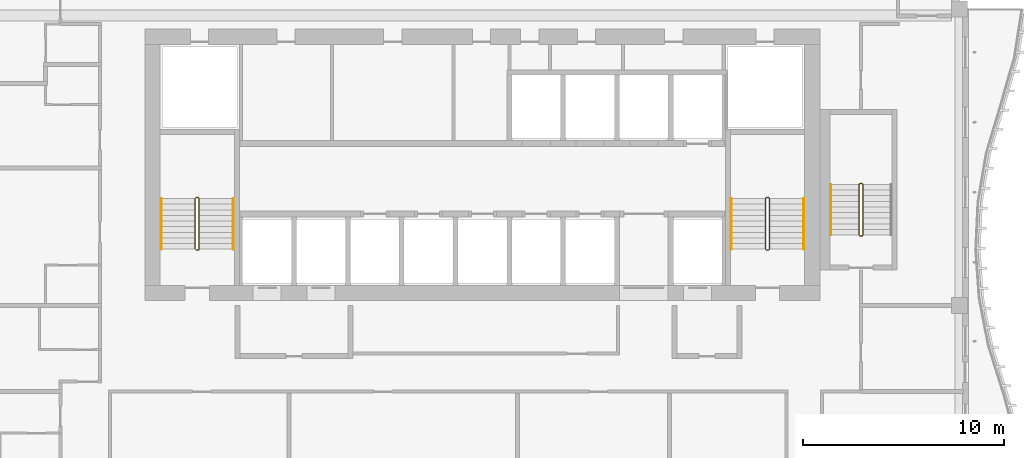
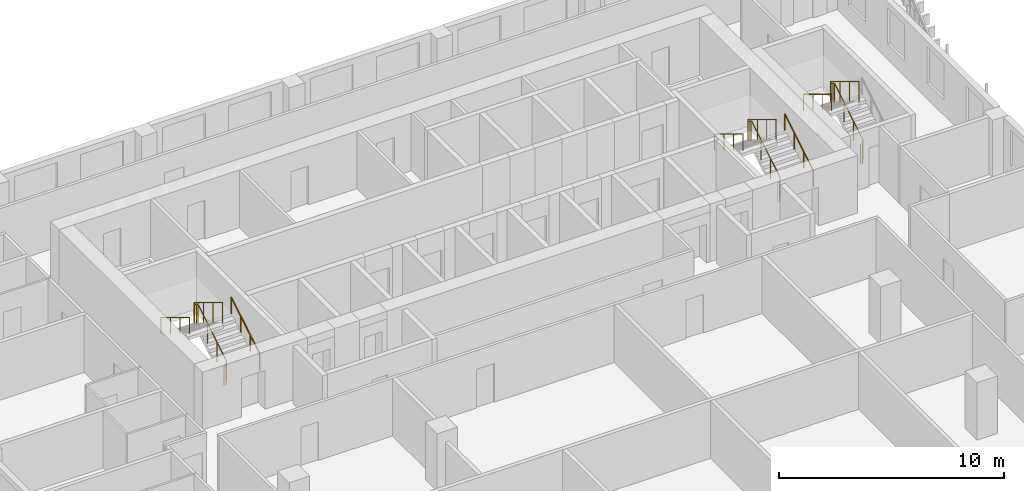
# One storey, part 20 of 21: 8 railings.
"""IFC4 building model written with IfcOpenShell, lengths in metres."""

import ifcopenshell
import ifcopenshell.guid

model = None  # the IFC model being written
_history = None  # IfcOwnerHistory: only IFC2X3 demands one
_inside = {}  # id of a spatial element -> (the spatial element, [elements in it])
_under = {}  # id of a project, library or spatial element -> (it, [spatial elements below it])
_declared = {}  # id of a project -> (the project, [libraries it declares])
_typed = {}  # id of a type object -> (the type object, [elements of that type])
_made_of = {}  # id of a material, layer set ... -> (it, [elements and type objects made of it])


def new_model(schema):
    """Start an empty IFC model of exactly this schema.

    Asked for "IFC4X3", IfcOpenShell would pick the latest addendum, in which some entities
    have other attributes; the version numbers below select the first issue.
    IFC2X3 requires an IfcOwnerHistory on every rooted entity: one is made here for all.
    """
    global model, _history
    if schema == "IFC4X3":
        model = ifcopenshell.file(schema_version=(4, 3, 0, 0))
    else:
        model = ifcopenshell.file(schema=schema)
    _inside.clear()
    _under.clear()
    _declared.clear()
    _typed.clear()
    _made_of.clear()
    _history = None
    if model.schema == "IFC2X3":
        org = make("IfcOrganization", Name="unknown")
        user = make(
            "IfcPersonAndOrganization",
            ThePerson=make("IfcPerson", FamilyName="unknown"),
            TheOrganization=org,
        )
        app = make(
            "IfcApplication",
            ApplicationDeveloper=org,
            Version="unknown",
            ApplicationFullName="unknown",
            ApplicationIdentifier="unknown",
        )
        _history = make(
            "IfcOwnerHistory",
            OwningUser=user,
            OwningApplication=app,
            ChangeAction="ADDED",
            CreationDate=0,
        )
    return model


def make(cls, **values):
    """One entity of the class cls with the attributes given. An attribute that is None is left unset."""
    return model.create_entity(
        cls, **{name: value for name, value in values.items() if value is not None}
    )


def rooted(cls, **values):
    """An entity with a GlobalId (a new one), such as an element, a storey or a relation."""
    return make(cls, GlobalId=ifcopenshell.guid.new(), OwnerHistory=_history, **values)


def si_unit(unit_type, name, prefix=None):
    """IfcSIUnit, for example si_unit("LENGTHUNIT", "METRE", prefix="MILLI")."""
    return make("IfcSIUnit", UnitType=unit_type, Prefix=prefix, Name=name)


def assignment(units):
    """IfcUnitAssignment: the units of a project."""
    return None if units is None else make("IfcUnitAssignment", Units=units)


def point(xyz):
    """IfcCartesianPoint."""
    return None if xyz is None else make("IfcCartesianPoint", Coordinates=xyz)


def direction(xyz):
    """IfcDirection."""
    return None if xyz is None else make("IfcDirection", DirectionRatios=xyz)


def frame(location, z_axis=None, x_axis=None):
    """IfcAxis2Placement3D, a coordinate frame: its origin and axes. An axis left out is left unset."""
    return make(
        "IfcAxis2Placement3D",
        Location=point(location),
        Axis=direction(z_axis),
        RefDirection=direction(x_axis),
    )


def frame_2d(location, x_axis=None):
    """IfcAxis2Placement2D, a coordinate frame in the plane: its origin and x axis."""
    return make(
        "IfcAxis2Placement2D", Location=point(location), RefDirection=direction(x_axis)
    )


def origin():
    """The frame at (0, 0, 0) with its axes left unset."""
    return frame((0.0, 0.0, 0.0))


def origin_2d():
    """The frame at (0, 0) in the plane with its x axis left unset."""
    return frame_2d((0.0, 0.0))


def place(relative_to, where):
    """IfcLocalPlacement: puts the frame where relative to a parent placement (None: the world)."""
    return make(
        "IfcLocalPlacement", PlacementRelTo=relative_to, RelativePlacement=where
    )


def context(
    kind, dimensions, precision=None, world=None, true_north=None, identifier=None
):
    """IfcGeometricRepresentationContext, for example the 3D "Model" context."""
    return make(
        "IfcGeometricRepresentationContext",
        ContextIdentifier=identifier,
        ContextType=kind,
        CoordinateSpaceDimension=dimensions,
        Precision=precision,
        WorldCoordinateSystem=world,
        TrueNorth=true_north,
    )


def subcontext(parent, identifier, kind, view, scale=None):
    """IfcGeometricRepresentationSubContext, for example "Body" below "Model"."""
    return make(
        "IfcGeometricRepresentationSubContext",
        ContextIdentifier=identifier,
        ContextType=kind,
        ParentContext=parent,
        TargetScale=scale,
        TargetView=view,
    )


def project(units=None, contexts=None):
    """IfcProject with its units and contexts."""
    return rooted(
        "IfcProject",
        Name="project",
        RepresentationContexts=contexts,
        UnitsInContext=assignment(units),
    )


def spatial(cls, under=None, at=None, **own):
    """A site, building, storey or space (cls), placed at a placement, below another one or the project."""
    s = rooted(cls, ObjectPlacement=at, **own)
    if under is not None:
        _under.setdefault(under.id(), (under, []))[1].append(s)
    return s


def profile(cls, at=None, kind="AREA", **sizes):
    """A parametric profile (cls). Its sizes go by their IFC names, for example OverallWidth=200.0."""
    return make(cls, ProfileType=kind, Position=at, **sizes)


def circle(**sizes):
    """IfcCircleProfileDef."""
    return profile("IfcCircleProfileDef", **sizes)


def extrude(swept, where, along, depth):
    """IfcExtrudedAreaSolid: the profile swept, set in the frame where, extruded along a direction by depth."""
    return make(
        "IfcExtrudedAreaSolid",
        SweptArea=swept,
        Position=where,
        ExtrudedDirection=direction(along),
        Depth=depth,
    )


def shape(context_of_items, identifier, shape_type, items):
    """IfcShapeRepresentation: the items that make up one representation, for example the "Body"."""
    return make(
        "IfcShapeRepresentation",
        ContextOfItems=context_of_items,
        RepresentationIdentifier=identifier,
        RepresentationType=shape_type,
        Items=items,
    )


def material(Name=None, Category=None):
    """IfcMaterial."""
    return make("IfcMaterial", Name=Name, Category=Category)


def made_of(thing, what):
    """Note that an element or type object is made of a material, layer set ...; save() writes the relation."""
    if what is not None:
        _made_of.setdefault(what.id(), (what, []))[1].append(thing)
    return thing


def type_object(cls, material=None, **own):
    """A type object (cls), such as IfcWallType, which elements share."""
    return made_of(rooted(cls, **own), material)


def element(
    cls,
    number,
    at=None,
    inside=None,
    cuts=None,
    type_object=None,
    material=None,
    context=None,
    identifier="Body",
    shape_type=None,
    held_by="IfcProductDefinitionShape",
    body=None,
    shapes=None,
    **own,
):
    """One element of the class cls, such as IfcWall. Its Tag is "e" and its number.

    at: its placement. inside: the storey or other place that contains it. cuts: it is an
    opening in that element (IfcRelVoidsElement). A single representation is given by context,
    identifier, shape_type and body (its items); several are given by shapes. held_by: the class
    of the entity that holds the representations. save() writes the other relations.
    """
    e = rooted(cls, Tag="e%d" % number, ObjectPlacement=at, **own)
    if body is not None:
        shapes = [shape(context, identifier, shape_type, body)]
    if shapes is not None:
        e.Representation = make(held_by, Representations=shapes)
    if inside is not None:
        _inside.setdefault(inside.id(), (inside, []))[1].append(e)
    if cuts is not None:
        rooted(
            "IfcRelVoidsElement", RelatingBuildingElement=cuts, RelatedOpeningElement=e
        )
    if type_object is not None:
        _typed.setdefault(type_object.id(), (type_object, []))[1].append(e)
    return made_of(e, material)


def aggregate(whole, parts):
    """IfcRelAggregates: a whole, such as a stair, and the parts it consists of."""
    return rooted("IfcRelAggregates", RelatingObject=whole, RelatedObjects=parts)


def save(model, path):
    """Write the relations noted so far, then the file.

    IfcRelAggregates (storeys below a building ...), IfcRelContainedInSpatialStructure (elements
    in a storey), IfcRelDefinesByType, IfcRelAssociatesMaterial and IfcRelDeclares: one each for
    every whole, place, type object, material and project.
    """
    for whole, parts in _under.values():
        aggregate(whole, parts)
    for where, things in _inside.values():
        rooted(
            "IfcRelContainedInSpatialStructure",
            RelatedElements=things,
            RelatingStructure=where,
        )
    for kind, things in _typed.values():
        rooted("IfcRelDefinesByType", RelatedObjects=things, RelatingType=kind)
    for what, things in _made_of.values():
        rooted("IfcRelAssociatesMaterial", RelatedObjects=things, RelatingMaterial=what)
    for by, libraries in _declared.values():
        rooted("IfcRelDeclares", RelatingContext=by, RelatedDefinitions=libraries)
    model.write(path)


model = new_model("IFC4")

# Units and contexts
model_context = context("Model", 3, precision=1e-05, world=origin(), true_north=direction((0.0, 1.0)))
body_context = subcontext(model_context, "Body", "Model", "MODEL_VIEW")
ifc_project = project(units=[si_unit("LENGTHUNIT", "METRE"), si_unit("AREAUNIT", "SQUARE_METRE"), si_unit("VOLUMEUNIT", "CUBIC_METRE"), si_unit("PLANEANGLEUNIT", "RADIAN"), si_unit("MASSUNIT", "GRAM", prefix="KILO")], contexts=[model_context])

# Site, building, storey
site_placement = place(None, origin())
site = spatial("IfcSite", under=ifc_project, at=site_placement, CompositionType="ELEMENT")
building_placement = place(site_placement, origin())
building = spatial("IfcBuilding", under=site, at=building_placement, Name="Kilnfold Tower and Market Hall", CompositionType="ELEMENT")
storey_placement = place(building_placement, frame((0.0, 0.0, 182.10009765625)))
storey = spatial("IfcBuildingStorey", under=building, at=storey_placement, Name="L43", CompositionType="ELEMENT", Elevation=182.10009765625)

# Railings
ifc_material_1 = material(Name="Stainless steel 316", Category="steel")
railing_type_1 = type_object("IfcRailingType", Name="CORE STAIR GUARD 1100", PredefinedType="GUARDRAIL", material=ifc_material_1)
railing_1_placement = place(storey_placement, frame((-13.199951171875, 10.75, 0.0)))
element("IfcRailing", 1, at=railing_1_placement, inside=storey, type_object=railing_type_1, Name="L43 ST1 stair guard 1", PredefinedType="GUARDRAIL", context=body_context, shape_type="SweptSolid", body=[
    extrude(circle(Radius=0.02392578125, at=origin_2d()), frame((0.0, 0.0, 1.076171875), z_axis=(1.0, 0.0, 0.0), x_axis=(0.0, 1.0, 0.0)), (0.0, 0.0, 1.0), 0.099853515625),
    extrude(circle(Radius=0.02392578125, at=origin_2d()), frame((0.099853515625, 0.0, 1.076171875), z_axis=(0.271895245746, 0.271895245746, 0.923117517265), x_axis=(-0.707106781187, 0.707106781187, 0.0)), (0.0, 0.0, 1.0), 0.18408203125),
    extrude(circle(Radius=0.02392578125, at=origin_2d()), frame((0.14990234375, 0.050048828125, 1.24609375), z_axis=(0.0, 0.85478489116, 0.518982456201), x_axis=(-1.0, 0.0, 0.0)), (0.0, 0.0, 1.0), 2.9482421875),
    extrude(circle(Radius=0.02392578125, at=origin_2d()), frame((0.14990234375, 2.570068359375, 2.77587890625), z_axis=(-0.707106781187, 0.707106781187, 0.0), x_axis=(-0.707106781187, -0.707106781187, 0.0)), (0.0, 0.0, 1.0), 0.07080078125),
    extrude(circle(Radius=0.02392578125, at=origin_2d()), frame((0.099853515625, 2.6201171875, 2.77587890625), z_axis=(-1.0, 0.0, 0.0), x_axis=(0.0, -1.0, 0.0)), (0.0, 0.0, 1.0), 0.099853515625),
    extrude(circle(Radius=0.02392578125, at=origin_2d()), frame((0.0, 2.6201171875, 2.77587890625), z_axis=(-0.271895245746, -0.271895245746, 0.923117517265), x_axis=(0.707106781187, -0.707106781187, 0.0)), (0.0, 0.0, 1.0), 0.18408203125),
    extrude(circle(Radius=0.02392578125, at=origin_2d()), frame((-0.050048828125, 2.570068359375, 2.94580078125), z_axis=(0.0, -0.85478489116, 0.518982456201), x_axis=(1.0, 0.0, 0.0)), (0.0, 0.0, 1.0), 2.9482421875),
    extrude(circle(Radius=0.02099609375, at=origin_2d()), origin(), (0.0, 0.0, 1.0), 1.052001953125),
    extrude(circle(Radius=0.02099609375, at=origin_2d()), frame((0.099853515625, 0.0, 0.0)), (0.0, 0.0, 1.0), 1.052001953125),
    extrude(circle(Radius=0.02099609375, at=origin_2d()), frame((0.14990234375, 0.050048828125, 0.169921875)), (0.0, 0.0, 1.0), 1.052001953125),
    extrude(circle(Radius=0.02099609375, at=origin_2d()), frame((0.14990234375, 0.89013671875, 0.679931640625)), (0.0, 0.0, 1.0), 1.052001953125),
    extrude(circle(Radius=0.02099609375, at=origin_2d()), frame((0.14990234375, 1.72998046875, 1.18994140625)), (0.0, 0.0, 1.0), 1.052001953125),
    extrude(circle(Radius=0.02099609375, at=origin_2d()), frame((0.14990234375, 2.570068359375, 1.699951171875)), (0.0, 0.0, 1.0), 1.052001953125),
    extrude(circle(Radius=0.02099609375, at=origin_2d()), frame((0.099853515625, 2.6201171875, 1.699951171875)), (0.0, 0.0, 1.0), 1.052001953125),
    extrude(circle(Radius=0.02099609375, at=origin_2d()), frame((0.0, 2.6201171875, 1.699951171875)), (0.0, 0.0, 1.0), 1.052001953125),
    extrude(circle(Radius=0.02099609375, at=origin_2d()), frame((-0.050048828125, 2.570068359375, 1.869873046875)), (0.0, 0.0, 1.0), 1.052001953125),
    extrude(circle(Radius=0.02099609375, at=origin_2d()), frame((-0.050048828125, 1.72998046875, 2.3798828125)), (0.0, 0.0, 1.0), 1.052001953125),
    extrude(circle(Radius=0.02099609375, at=origin_2d()), frame((-0.050048828125, 0.89013671875, 2.889892578125)), (0.0, 0.0, 1.0), 1.052001953125),
    extrude(circle(Radius=0.02099609375, at=origin_2d()), frame((-0.050048828125, 0.050048828125, 3.39990234375)), (0.0, 0.0, 1.0), 1.052001953125),
])
railing_2_placement = place(storey_placement, frame((15.199951171875, 10.75, 0.0)))
element("IfcRailing", 2, at=railing_2_placement, inside=storey, type_object=railing_type_1, Name="L43 ST2 stair guard 1", PredefinedType="GUARDRAIL", context=body_context, shape_type="SweptSolid", body=[
    extrude(circle(Radius=0.02392578125, at=origin_2d()), frame((0.0, 0.0, 1.076171875), z_axis=(1.0, 0.0, 0.0), x_axis=(0.0, 1.0, 0.0)), (0.0, 0.0, 1.0), 0.10009765625),
    extrude(circle(Radius=0.02392578125, at=origin_2d()), frame((0.10009765625, 0.0, 1.076171875), z_axis=(0.271895245746, 0.271895245746, 0.923117517265), x_axis=(-0.707106781187, 0.707106781187, 0.0)), (0.0, 0.0, 1.0), 0.18408203125),
    extrude(circle(Radius=0.02392578125, at=origin_2d()), frame((0.150146484375, 0.050048828125, 1.24609375), z_axis=(0.0, 0.85478489116, 0.518982456201), x_axis=(-1.0, 0.0, 0.0)), (0.0, 0.0, 1.0), 2.9482421875),
    extrude(circle(Radius=0.02392578125, at=origin_2d()), frame((0.150146484375, 2.570068359375, 2.77587890625), z_axis=(-0.707106781187, 0.707106781187, 0.0), x_axis=(-0.707106781187, -0.707106781187, 0.0)), (0.0, 0.0, 1.0), 0.07080078125),
    extrude(circle(Radius=0.02392578125, at=origin_2d()), frame((0.10009765625, 2.6201171875, 2.77587890625), z_axis=(-1.0, 0.0, 0.0), x_axis=(0.0, -1.0, 0.0)), (0.0, 0.0, 1.0), 0.10009765625),
    extrude(circle(Radius=0.02392578125, at=origin_2d()), frame((0.0, 2.6201171875, 2.77587890625), z_axis=(-0.271895245746, -0.271895245746, 0.923117517265), x_axis=(0.707106781187, -0.707106781187, 0.0)), (0.0, 0.0, 1.0), 0.18408203125),
    extrude(circle(Radius=0.02392578125, at=origin_2d()), frame((-0.050048828125, 2.570068359375, 2.94580078125), z_axis=(0.0, -0.85478489116, 0.518982456201), x_axis=(1.0, 0.0, 0.0)), (0.0, 0.0, 1.0), 2.9482421875),
    extrude(circle(Radius=0.02099609375, at=origin_2d()), origin(), (0.0, 0.0, 1.0), 1.052001953125),
    extrude(circle(Radius=0.02099609375, at=origin_2d()), frame((0.10009765625, 0.0, 0.0)), (0.0, 0.0, 1.0), 1.052001953125),
    extrude(circle(Radius=0.02099609375, at=origin_2d()), frame((0.150146484375, 0.050048828125, 0.169921875)), (0.0, 0.0, 1.0), 1.052001953125),
    extrude(circle(Radius=0.02099609375, at=origin_2d()), frame((0.150146484375, 0.89013671875, 0.679931640625)), (0.0, 0.0, 1.0), 1.052001953125),
    extrude(circle(Radius=0.02099609375, at=origin_2d()), frame((0.150146484375, 1.72998046875, 1.18994140625)), (0.0, 0.0, 1.0), 1.052001953125),
    extrude(circle(Radius=0.02099609375, at=origin_2d()), frame((0.150146484375, 2.570068359375, 1.699951171875)), (0.0, 0.0, 1.0), 1.052001953125),
    extrude(circle(Radius=0.02099609375, at=origin_2d()), frame((0.10009765625, 2.6201171875, 1.699951171875)), (0.0, 0.0, 1.0), 1.052001953125),
    extrude(circle(Radius=0.02099609375, at=origin_2d()), frame((0.0, 2.6201171875, 1.699951171875)), (0.0, 0.0, 1.0), 1.052001953125),
    extrude(circle(Radius=0.02099609375, at=origin_2d()), frame((-0.050048828125, 2.570068359375, 1.869873046875)), (0.0, 0.0, 1.0), 1.052001953125),
    extrude(circle(Radius=0.02099609375, at=origin_2d()), frame((-0.050048828125, 1.72998046875, 2.3798828125)), (0.0, 0.0, 1.0), 1.052001953125),
    extrude(circle(Radius=0.02099609375, at=origin_2d()), frame((-0.050048828125, 0.89013671875, 2.889892578125)), (0.0, 0.0, 1.0), 1.052001953125),
    extrude(circle(Radius=0.02099609375, at=origin_2d()), frame((-0.050048828125, 0.050048828125, 3.39990234375)), (0.0, 0.0, 1.0), 1.052001953125),
])
railing_3_placement = place(storey_placement, frame((19.85009765625, 11.449951171875, 0.0)))
element("IfcRailing", 3, at=railing_3_placement, inside=storey, type_object=railing_type_1, Name="L43 ST5 stair guard 1", PredefinedType="GUARDRAIL", context=body_context, shape_type="SweptSolid", body=[
    extrude(circle(Radius=0.02392578125, at=origin_2d()), frame((0.0, 0.0, 1.076171875), z_axis=(1.0, 0.0, 0.0), x_axis=(0.0, 1.0, 0.0)), (0.0, 0.0, 1.0), 0.099853515625),
    extrude(circle(Radius=0.02392578125, at=origin_2d()), frame((0.099853515625, 0.0, 1.076171875), z_axis=(0.271895245746, 0.271895245746, 0.923117517265), x_axis=(-0.707106781187, 0.707106781187, 0.0)), (0.0, 0.0, 1.0), 0.18408203125),
    extrude(circle(Radius=0.02392578125, at=origin_2d()), frame((0.14990234375, 0.050048828125, 1.24609375), z_axis=(0.0, 0.85478489116, 0.518982456201), x_axis=(-1.0, 0.0, 0.0)), (0.0, 0.0, 1.0), 2.9482421875),
    extrude(circle(Radius=0.02392578125, at=origin_2d()), frame((0.14990234375, 2.570068359375, 2.77587890625), z_axis=(-0.707106781187, 0.707106781187, 0.0), x_axis=(-0.707106781187, -0.707106781187, 0.0)), (0.0, 0.0, 1.0), 0.07080078125),
    extrude(circle(Radius=0.02392578125, at=origin_2d()), frame((0.099853515625, 2.6201171875, 2.77587890625), z_axis=(-1.0, 0.0, 0.0), x_axis=(0.0, -1.0, 0.0)), (0.0, 0.0, 1.0), 0.099853515625),
    extrude(circle(Radius=0.02392578125, at=origin_2d()), frame((0.0, 2.6201171875, 2.77587890625), z_axis=(-0.271895245746, -0.271895245746, 0.923117517265), x_axis=(0.707106781187, -0.707106781187, 0.0)), (0.0, 0.0, 1.0), 0.18408203125),
    extrude(circle(Radius=0.02392578125, at=origin_2d()), frame((-0.050048828125, 2.570068359375, 2.94580078125), z_axis=(0.0, -0.85478489116, 0.518982456201), x_axis=(1.0, 0.0, 0.0)), (0.0, 0.0, 1.0), 2.9482421875),
    extrude(circle(Radius=0.02099609375, at=origin_2d()), origin(), (0.0, 0.0, 1.0), 1.052001953125),
    extrude(circle(Radius=0.02099609375, at=origin_2d()), frame((0.099853515625, 0.0, 0.0)), (0.0, 0.0, 1.0), 1.052001953125),
    extrude(circle(Radius=0.02099609375, at=origin_2d()), frame((0.14990234375, 0.050048828125, 0.169921875)), (0.0, 0.0, 1.0), 1.052001953125),
    extrude(circle(Radius=0.02099609375, at=origin_2d()), frame((0.14990234375, 0.89013671875, 0.679931640625)), (0.0, 0.0, 1.0), 1.052001953125),
    extrude(circle(Radius=0.02099609375, at=origin_2d()), frame((0.14990234375, 1.72998046875, 1.18994140625)), (0.0, 0.0, 1.0), 1.052001953125),
    extrude(circle(Radius=0.02099609375, at=origin_2d()), frame((0.14990234375, 2.570068359375, 1.699951171875)), (0.0, 0.0, 1.0), 1.052001953125),
    extrude(circle(Radius=0.02099609375, at=origin_2d()), frame((0.099853515625, 2.6201171875, 1.699951171875)), (0.0, 0.0, 1.0), 1.052001953125),
    extrude(circle(Radius=0.02099609375, at=origin_2d()), frame((0.0, 2.6201171875, 1.699951171875)), (0.0, 0.0, 1.0), 1.052001953125),
    extrude(circle(Radius=0.02099609375, at=origin_2d()), frame((-0.050048828125, 2.570068359375, 1.869873046875)), (0.0, 0.0, 1.0), 1.052001953125),
    extrude(circle(Radius=0.02099609375, at=origin_2d()), frame((-0.050048828125, 1.72998046875, 2.3798828125)), (0.0, 0.0, 1.0), 1.052001953125),
    extrude(circle(Radius=0.02099609375, at=origin_2d()), frame((-0.050048828125, 0.89013671875, 2.889892578125)), (0.0, 0.0, 1.0), 1.052001953125),
    extrude(circle(Radius=0.02099609375, at=origin_2d()), frame((-0.050048828125, 0.050048828125, 3.39990234375)), (0.0, 0.0, 1.0), 1.052001953125),
])
ifc_material_2 = material(Name="Stainless steel 316", Category="steel")
railing_type_2 = type_object("IfcRailingType", Name="CORE STAIR HANDRAIL 900", PredefinedType="HANDRAIL", material=ifc_material_2)
railing_4_placement = place(storey_placement, frame((-11.35009765625, 10.800048828125, 0.169921875)))
element("IfcRailing", 4, at=railing_4_placement, inside=storey, type_object=railing_type_2, Name="L43 ST1 stair handrail 1", PredefinedType="HANDRAIL", context=body_context, shape_type="SweptSolid", body=[
    extrude(circle(Radius=0.02392578125, at=origin_2d()), frame((0.0, 0.0, 0.8759765625), z_axis=(0.0, 0.85478489116, 0.518982456201), x_axis=(-1.0, 0.0, 0.0)), (0.0, 0.0, 1.0), 2.9482421875),
    extrude(circle(Radius=0.02099609375, at=origin_2d()), origin(), (0.0, 0.0, 1.0), 0.851806640625),
    extrude(circle(Radius=0.02099609375, at=origin_2d()), frame((0.0, 0.840087890625, 0.510009765625)), (0.0, 0.0, 1.0), 0.851806640625),
    extrude(circle(Radius=0.02099609375, at=origin_2d()), frame((0.0, 1.679931640625, 1.02001953125)), (0.0, 0.0, 1.0), 0.851806640625),
    extrude(circle(Radius=0.02099609375, at=origin_2d()), frame((0.0, 2.52001953125, 1.530029296875)), (0.0, 0.0, 1.0), 0.851806640625),
])
railing_5_placement = place(storey_placement, frame((-14.949951171875, 13.320068359375, 1.869873046875)))
element("IfcRailing", 5, at=railing_5_placement, inside=storey, type_object=railing_type_2, Name="L43 ST1 stair handrail 2", PredefinedType="HANDRAIL", context=body_context, shape_type="SweptSolid", body=[
    extrude(circle(Radius=0.02392578125, at=origin_2d()), frame((0.0, 0.0, 0.8759765625), z_axis=(0.0, -0.85478489116, 0.518982456201), x_axis=(1.0, 0.0, 0.0)), (0.0, 0.0, 1.0), 2.9482421875),
    extrude(circle(Radius=0.02099609375, at=origin_2d()), origin(), (0.0, 0.0, 1.0), 0.851806640625),
    extrude(circle(Radius=0.02099609375, at=origin_2d()), frame((0.0, -0.840087890625, 0.510009765625)), (0.0, 0.0, 1.0), 0.851806640625),
    extrude(circle(Radius=0.02099609375, at=origin_2d()), frame((0.0, -1.679931640625, 1.02001953125)), (0.0, 0.0, 1.0), 0.851806640625),
    extrude(circle(Radius=0.02099609375, at=origin_2d()), frame((0.0, -2.52001953125, 1.530029296875)), (0.0, 0.0, 1.0), 0.851806640625),
])
railing_6_placement = place(storey_placement, frame((17.050048828125, 10.800048828125, 0.169921875)))
element("IfcRailing", 6, at=railing_6_placement, inside=storey, type_object=railing_type_2, Name="L43 ST2 stair handrail 1", PredefinedType="HANDRAIL", context=body_context, shape_type="SweptSolid", body=[
    extrude(circle(Radius=0.02392578125, at=origin_2d()), frame((0.0, 0.0, 0.8759765625), z_axis=(0.0, 0.85478489116, 0.518982456201), x_axis=(-1.0, 0.0, 0.0)), (0.0, 0.0, 1.0), 2.9482421875),
    extrude(circle(Radius=0.02099609375, at=origin_2d()), origin(), (0.0, 0.0, 1.0), 0.851806640625),
    extrude(circle(Radius=0.02099609375, at=origin_2d()), frame((0.0, 0.840087890625, 0.510009765625)), (0.0, 0.0, 1.0), 0.851806640625),
    extrude(circle(Radius=0.02099609375, at=origin_2d()), frame((0.0, 1.679931640625, 1.02001953125)), (0.0, 0.0, 1.0), 0.851806640625),
    extrude(circle(Radius=0.02099609375, at=origin_2d()), frame((0.0, 2.52001953125, 1.530029296875)), (0.0, 0.0, 1.0), 0.851806640625),
])
for number, where, name in (
    (7, (13.449951171875, 13.320068359375, 1.869873046875), "L43 ST2 stair handrail 2"),
    (8, (18.39990234375, 14.02001953125, 1.869873046875), "L43 ST5 stair handrail 2"),
):
    element("IfcRailing", number, at=place(storey_placement, frame(where)), inside=storey, type_object=railing_type_2, Name=name, PredefinedType="HANDRAIL", context=body_context, shape_type="SweptSolid", body=[
        extrude(circle(Radius=0.02392578125, at=origin_2d()), frame((0.0, 0.0, 0.8759765625), z_axis=(0.0, -0.85478489116, 0.518982456201), x_axis=(1.0, 0.0, 0.0)), (0.0, 0.0, 1.0), 2.9482421875),
        extrude(circle(Radius=0.02099609375, at=origin_2d()), origin(), (0.0, 0.0, 1.0), 0.851806640625),
        extrude(circle(Radius=0.02099609375, at=origin_2d()), frame((0.0, -0.840087890625, 0.510009765625)), (0.0, 0.0, 1.0), 0.851806640625),
        extrude(circle(Radius=0.02099609375, at=origin_2d()), frame((0.0, -1.679931640625, 1.02001953125)), (0.0, 0.0, 1.0), 0.851806640625),
        extrude(circle(Radius=0.02099609375, at=origin_2d()), frame((0.0, -2.52001953125, 1.530029296875)), (0.0, 0.0, 1.0), 0.851806640625),
    ])

save(model, "model.ifc")
